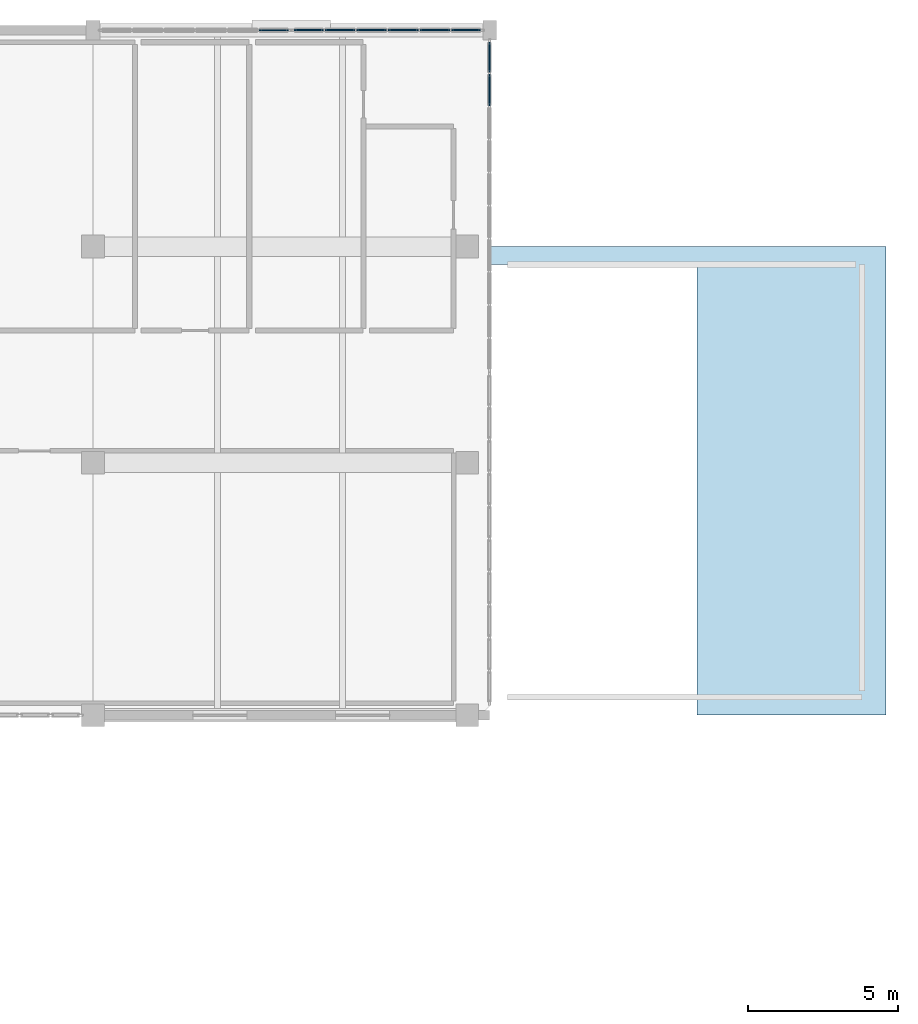
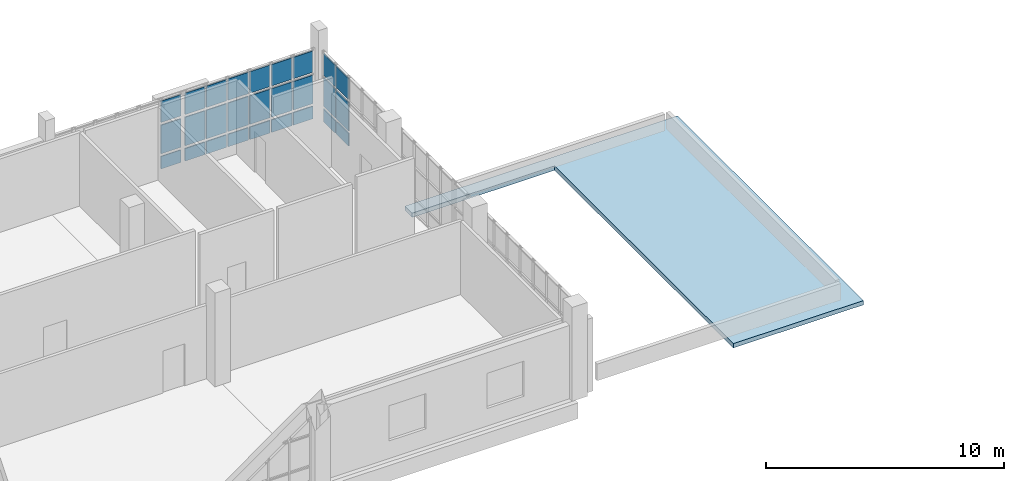
# One storey, part 79 of 106: 27 plates, 1 slab, 3 elements without a shape of their own.
"""IFC4 building model written with IfcOpenShell, lengths in metres."""

from ifc_helpers import new_model, si_unit, direction, frame, origin, origin_2d, place, context, subcontext, project, spatial, polyline, rectangle, outline, extrude, material, layer, layer_set, type_object, element, aggregate, save


model = new_model("IFC4")

# Units and contexts
model_context = context("Model", 3, precision=1e-05, world=origin(), true_north=direction((0.0, 1.0)))
body_context = subcontext(model_context, "Body", "Model", "MODEL_VIEW")
ifc_project = project(units=[si_unit("LENGTHUNIT", "METRE"), si_unit("AREAUNIT", "SQUARE_METRE"), si_unit("VOLUMEUNIT", "CUBIC_METRE"), si_unit("PLANEANGLEUNIT", "RADIAN"), si_unit("MASSUNIT", "GRAM", prefix="KILO")], contexts=[model_context])

# Site, building, storey
site_placement = place(None, origin())
site = spatial("IfcSite", under=ifc_project, at=site_placement, CompositionType="ELEMENT")
building_placement = place(site_placement, origin())
building = spatial("IfcBuilding", under=site, at=building_placement, Name="Kisaragi Civic Commons", CompositionType="ELEMENT")
storey_placement = place(building_placement, frame((0.0, 0.0, 4.800048828125)))
storey = spatial("IfcBuildingStorey", under=building, at=storey_placement, Name="L01", CompositionType="ELEMENT", Elevation=4.800048828125)

# Curtain wall, plates
ifc_material_1 = material(Name="Thermally broken anodized aluminium and low-E double glazing", Category="aluminium")
ifc_layer_1 = layer(ifc_material_1, 0.179931640625, Name="Thermally broken anodized aluminium and low-E double glazing", Category="aluminium")
ifc_layer_set_1 = layer_set([ifc_layer_1], Name="Thermally broken anodized aluminium and low-E double glazing")
curtain_wall_type = type_object("IfcCurtainWallType", Name="CW-01", PredefinedType="NOTDEFINED", material=ifc_layer_set_1)
curtain_wall_1_placement = place(storey_placement, origin())
curtain_wall_1 = element("IfcCurtainWall", 1, at=curtain_wall_1_placement, inside=storey, type_object=curtain_wall_type, Name="L01 curtain wall CW-01 CW-V4-L01-069", PredefinedType="NOTDEFINED")
ifc_layer_2 = layer(ifc_material_1, 0.0458984375, Name="Thermally broken anodized aluminium and low-E double glazing", Category="aluminium")
ifc_layer_set_2 = layer_set([ifc_layer_2], Name="Thermally broken anodized aluminium and low-E double glazing")
plate_type_1 = type_object("IfcPlateType", Name="CWP-13", PredefinedType="CURTAIN_PANEL", material=ifc_layer_set_2)
plate_1_placement = place(storey_placement, frame((152.4169921875, 118.800048828125, 0.14013671875), z_axis=(0.0, 0.0, 1.0), x_axis=(1.0, 0.0, 0.0)))
plate_1 = element("IfcPlate", 2, at=plate_1_placement, type_object=plate_type_1, Name="CW-01 panel 6.1", PredefinedType="CURTAIN_PANEL", context=body_context, shape_type="SweptSolid", body=[
    extrude(rectangle(XDim=0.955810546875, YDim=0.0458984375, at=origin_2d()), origin(), (0.0, 0.0, 1.0), 0.639892578125),
])
plate_2_placement = place(storey_placement, frame((152.4169921875, 118.800048828125, 0.919921875), z_axis=(0.0, 0.0, 1.0), x_axis=(1.0, 0.0, 0.0)))
plate_2 = element("IfcPlate", 3, at=plate_2_placement, type_object=plate_type_1, Name="CW-01 panel 6.2", PredefinedType="CURTAIN_PANEL", context=body_context, shape_type="SweptSolid", body=[
    extrude(rectangle(XDim=0.955810546875, YDim=0.0458984375, at=origin_2d()), origin(), (0.0, 0.0, 1.0), 1.4599609375),
])
plate_3_placement = place(storey_placement, frame((152.4169921875, 118.800048828125, 2.52001953125), z_axis=(0.0, 0.0, 1.0), x_axis=(1.0, 0.0, 0.0)))
plate_3 = element("IfcPlate", 4, at=plate_3_placement, type_object=plate_type_1, Name="CW-01 panel 6.3", PredefinedType="CURTAIN_PANEL", context=body_context, shape_type="SweptSolid", body=[
    extrude(rectangle(XDim=0.955810546875, YDim=0.0458984375, at=origin_2d()), origin(), (0.0, 0.0, 1.0), 1.094970703125),
])
aggregate(curtain_wall_1, [plate_1, plate_2, plate_3])

curtain_wall_2_placement = place(storey_placement, origin())
curtain_wall_2 = element("IfcCurtainWall", 5, at=curtain_wall_2_placement, inside=storey, type_object=curtain_wall_type, Name="L01 curtain wall CW-01 CW-V4-L01-070", PredefinedType="NOTDEFINED")
ifc_layer_3 = layer(ifc_material_1, 0.050048828125, Name="Thermally broken anodized aluminium and low-E double glazing", Category="aluminium")
ifc_layer_set_3 = layer_set([ifc_layer_3], Name="Thermally broken anodized aluminium and low-E double glazing")
plate_type_2 = type_object("IfcPlateType", Name="CWP-14", PredefinedType="CURTAIN_PANEL", material=ifc_layer_set_3)
plate_4_placement = place(storey_placement, frame((153.5830078125, 118.800048828125, 0.14013671875), z_axis=(0.0, 0.0, 1.0), x_axis=(1.0, 0.0, 0.0)))
plate_4 = element("IfcPlate", 6, at=plate_4_placement, type_object=plate_type_2, Name="CW-01 panel 1.1", PredefinedType="CURTAIN_PANEL", context=body_context, shape_type="SweptSolid", body=[
    extrude(rectangle(XDim=0.955810546875, YDim=0.050048828125, at=origin_2d()), origin(), (0.0, 0.0, 1.0), 0.639892578125),
])
plate_5_placement = place(storey_placement, frame((153.5830078125, 118.800048828125, 0.919921875), z_axis=(0.0, 0.0, 1.0), x_axis=(1.0, 0.0, 0.0)))
plate_5 = element("IfcPlate", 7, at=plate_5_placement, type_object=plate_type_2, Name="CW-01 panel 1.2", PredefinedType="CURTAIN_PANEL", context=body_context, shape_type="SweptSolid", body=[
    extrude(rectangle(XDim=0.955810546875, YDim=0.050048828125, at=origin_2d()), origin(), (0.0, 0.0, 1.0), 1.4599609375),
])
plate_6_placement = place(storey_placement, frame((153.5830078125, 118.800048828125, 2.52001953125), z_axis=(0.0, 0.0, 1.0), x_axis=(1.0, 0.0, 0.0)))
plate_6 = element("IfcPlate", 8, at=plate_6_placement, type_object=plate_type_2, Name="CW-01 panel 1.3", PredefinedType="CURTAIN_PANEL", context=body_context, shape_type="SweptSolid", body=[
    extrude(rectangle(XDim=0.955810546875, YDim=0.050048828125, at=origin_2d()), origin(), (0.0, 0.0, 1.0), 1.094970703125),
])
plate_7_placement = place(storey_placement, frame((154.6201171875, 118.800048828125, 0.14013671875), z_axis=(0.0, 0.0, 1.0), x_axis=(1.0, 0.0, 0.0)))
plate_7 = element("IfcPlate", 9, at=plate_7_placement, type_object=plate_type_2, Name="CW-01 panel 2.1", PredefinedType="CURTAIN_PANEL", context=body_context, shape_type="SweptSolid", body=[
    extrude(rectangle(XDim=0.98828125, YDim=0.050048828125, at=origin_2d()), origin(), (0.0, 0.0, 1.0), 0.639892578125),
])
plate_8_placement = place(storey_placement, frame((154.6201171875, 118.800048828125, 0.919921875), z_axis=(0.0, 0.0, 1.0), x_axis=(1.0, 0.0, 0.0)))
plate_8 = element("IfcPlate", 10, at=plate_8_placement, type_object=plate_type_2, Name="CW-01 panel 2.2", PredefinedType="CURTAIN_PANEL", context=body_context, shape_type="SweptSolid", body=[
    extrude(rectangle(XDim=0.98828125, YDim=0.050048828125, at=origin_2d()), origin(), (0.0, 0.0, 1.0), 1.4599609375),
])
plate_9_placement = place(storey_placement, frame((154.6201171875, 118.800048828125, 2.52001953125), z_axis=(0.0, 0.0, 1.0), x_axis=(1.0, 0.0, 0.0)))
plate_9 = element("IfcPlate", 11, at=plate_9_placement, type_object=plate_type_2, Name="CW-01 panel 2.3", PredefinedType="CURTAIN_PANEL", context=body_context, shape_type="SweptSolid", body=[
    extrude(rectangle(XDim=0.98828125, YDim=0.050048828125, at=origin_2d()), origin(), (0.0, 0.0, 1.0), 1.094970703125),
])
plate_10_placement = place(storey_placement, frame((155.67333984375, 118.800048828125, 0.14013671875), z_axis=(0.0, 0.0, 1.0), x_axis=(1.0, 0.0, 0.0)))
plate_10 = element("IfcPlate", 12, at=plate_10_placement, type_object=plate_type_2, Name="CW-01 panel 3.1", PredefinedType="CURTAIN_PANEL", context=body_context, shape_type="SweptSolid", body=[
    extrude(rectangle(XDim=0.98828125, YDim=0.050048828125, at=origin_2d()), origin(), (0.0, 0.0, 1.0), 0.639892578125),
])
plate_11_placement = place(storey_placement, frame((155.67333984375, 118.800048828125, 0.919921875), z_axis=(0.0, 0.0, 1.0), x_axis=(1.0, 0.0, 0.0)))
plate_11 = element("IfcPlate", 13, at=plate_11_placement, type_object=plate_type_2, Name="CW-01 panel 3.2", PredefinedType="CURTAIN_PANEL", context=body_context, shape_type="SweptSolid", body=[
    extrude(rectangle(XDim=0.98828125, YDim=0.050048828125, at=origin_2d()), origin(), (0.0, 0.0, 1.0), 1.4599609375),
])
plate_12_placement = place(storey_placement, frame((155.67333984375, 118.800048828125, 2.52001953125), z_axis=(0.0, 0.0, 1.0), x_axis=(1.0, 0.0, 0.0)))
plate_12 = element("IfcPlate", 14, at=plate_12_placement, type_object=plate_type_2, Name="CW-01 panel 3.3", PredefinedType="CURTAIN_PANEL", context=body_context, shape_type="SweptSolid", body=[
    extrude(rectangle(XDim=0.98828125, YDim=0.050048828125, at=origin_2d()), origin(), (0.0, 0.0, 1.0), 1.094970703125),
])
plate_13_placement = place(storey_placement, frame((156.7265625, 118.800048828125, 0.14013671875), z_axis=(0.0, 0.0, 1.0), x_axis=(1.0, 0.0, 0.0)))
plate_13 = element("IfcPlate", 15, at=plate_13_placement, type_object=plate_type_2, Name="CW-01 panel 4.1", PredefinedType="CURTAIN_PANEL", context=body_context, shape_type="SweptSolid", body=[
    extrude(rectangle(XDim=0.98828125, YDim=0.050048828125, at=origin_2d()), origin(), (0.0, 0.0, 1.0), 0.639892578125),
])
plate_14_placement = place(storey_placement, frame((156.7265625, 118.800048828125, 0.919921875), z_axis=(0.0, 0.0, 1.0), x_axis=(1.0, 0.0, 0.0)))
plate_14 = element("IfcPlate", 16, at=plate_14_placement, type_object=plate_type_2, Name="CW-01 panel 4.2", PredefinedType="CURTAIN_PANEL", context=body_context, shape_type="SweptSolid", body=[
    extrude(rectangle(XDim=0.98828125, YDim=0.050048828125, at=origin_2d()), origin(), (0.0, 0.0, 1.0), 1.4599609375),
])
plate_15_placement = place(storey_placement, frame((156.7265625, 118.800048828125, 2.52001953125), z_axis=(0.0, 0.0, 1.0), x_axis=(1.0, 0.0, 0.0)))
plate_15 = element("IfcPlate", 17, at=plate_15_placement, type_object=plate_type_2, Name="CW-01 panel 4.3", PredefinedType="CURTAIN_PANEL", context=body_context, shape_type="SweptSolid", body=[
    extrude(rectangle(XDim=0.98828125, YDim=0.050048828125, at=origin_2d()), origin(), (0.0, 0.0, 1.0), 1.094970703125),
])
plate_16_placement = place(storey_placement, frame((157.780029296875, 118.800048828125, 0.14013671875), z_axis=(0.0, 0.0, 1.0), x_axis=(1.0, 0.0, 0.0)))
plate_16 = element("IfcPlate", 18, at=plate_16_placement, type_object=plate_type_2, Name="CW-01 panel 5.1", PredefinedType="CURTAIN_PANEL", context=body_context, shape_type="SweptSolid", body=[
    extrude(rectangle(XDim=0.98828125, YDim=0.050048828125, at=origin_2d()), origin(), (0.0, 0.0, 1.0), 0.639892578125),
])
plate_17_placement = place(storey_placement, frame((157.780029296875, 118.800048828125, 0.919921875), z_axis=(0.0, 0.0, 1.0), x_axis=(1.0, 0.0, 0.0)))
plate_17 = element("IfcPlate", 19, at=plate_17_placement, type_object=plate_type_2, Name="CW-01 panel 5.2", PredefinedType="CURTAIN_PANEL", context=body_context, shape_type="SweptSolid", body=[
    extrude(rectangle(XDim=0.98828125, YDim=0.050048828125, at=origin_2d()), origin(), (0.0, 0.0, 1.0), 1.4599609375),
])
plate_18_placement = place(storey_placement, frame((157.780029296875, 118.800048828125, 2.52001953125), z_axis=(0.0, 0.0, 1.0), x_axis=(1.0, 0.0, 0.0)))
plate_18 = element("IfcPlate", 20, at=plate_18_placement, type_object=plate_type_2, Name="CW-01 panel 5.3", PredefinedType="CURTAIN_PANEL", context=body_context, shape_type="SweptSolid", body=[
    extrude(rectangle(XDim=0.98828125, YDim=0.050048828125, at=origin_2d()), origin(), (0.0, 0.0, 1.0), 1.094970703125),
])
plate_19_placement = place(storey_placement, frame((158.817138671875, 118.800048828125, 0.14013671875), z_axis=(0.0, 0.0, 1.0), x_axis=(1.0, 0.0, 0.0)))
plate_19 = element("IfcPlate", 21, at=plate_19_placement, type_object=plate_type_2, Name="CW-01 panel 6.1", PredefinedType="CURTAIN_PANEL", context=body_context, shape_type="SweptSolid", body=[
    extrude(rectangle(XDim=0.955810546875, YDim=0.050048828125, at=origin_2d()), origin(), (0.0, 0.0, 1.0), 0.639892578125),
])
plate_20_placement = place(storey_placement, frame((158.817138671875, 118.800048828125, 0.919921875), z_axis=(0.0, 0.0, 1.0), x_axis=(1.0, 0.0, 0.0)))
plate_20 = element("IfcPlate", 22, at=plate_20_placement, type_object=plate_type_2, Name="CW-01 panel 6.2", PredefinedType="CURTAIN_PANEL", context=body_context, shape_type="SweptSolid", body=[
    extrude(rectangle(XDim=0.955810546875, YDim=0.050048828125, at=origin_2d()), origin(), (0.0, 0.0, 1.0), 1.4599609375),
])
plate_21_placement = place(storey_placement, frame((158.817138671875, 118.800048828125, 2.52001953125), z_axis=(0.0, 0.0, 1.0), x_axis=(1.0, 0.0, 0.0)))
plate_21 = element("IfcPlate", 23, at=plate_21_placement, type_object=plate_type_2, Name="CW-01 panel 6.3", PredefinedType="CURTAIN_PANEL", context=body_context, shape_type="SweptSolid", body=[
    extrude(rectangle(XDim=0.955810546875, YDim=0.050048828125, at=origin_2d()), origin(), (0.0, 0.0, 1.0), 1.094970703125),
])
aggregate(curtain_wall_2, [plate_4, plate_5, plate_6, plate_7, plate_8, plate_9, plate_10, plate_11, plate_12, plate_13, plate_14, plate_15, plate_16, plate_17, plate_18, plate_19, plate_20, plate_21])

curtain_wall_3_placement = place(storey_placement, origin())
curtain_wall_3 = element("IfcCurtainWall", 24, at=curtain_wall_3_placement, inside=storey, type_object=curtain_wall_type, Name="L01 curtain wall CW-01 CW-V4-L01-071", PredefinedType="NOTDEFINED")
ifc_layer_4 = layer(ifc_material_1, 0.053955078125, Name="Thermally broken anodized aluminium and low-E double glazing", Category="aluminium")
ifc_layer_set_4 = layer_set([ifc_layer_4], Name="Thermally broken anodized aluminium and low-E double glazing")
plate_type_3 = type_object("IfcPlateType", Name="CWP-15", PredefinedType="CURTAIN_PANEL", material=ifc_layer_set_4)
plate_22_placement = place(storey_placement, frame((159.60009765625, 117.893798828125, 0.14013671875), z_axis=(0.0, 0.0, 1.0), x_axis=(0.0, -1.0, 0.0)))
plate_22 = element("IfcPlate", 25, at=plate_22_placement, type_object=plate_type_3, Name="CW-01 panel 1.1", PredefinedType="CURTAIN_PANEL", context=body_context, shape_type="SweptSolid", body=[
    extrude(rectangle(XDim=1.00244140625, YDim=0.053955078125, at=origin_2d()), origin(), (0.0, 0.0, 1.0), 0.639892578125),
])
plate_23_placement = place(storey_placement, frame((159.60009765625, 117.893798828125, 0.919921875), z_axis=(0.0, 0.0, 1.0), x_axis=(0.0, -1.0, 0.0)))
plate_23 = element("IfcPlate", 26, at=plate_23_placement, type_object=plate_type_3, Name="CW-01 panel 1.2", PredefinedType="CURTAIN_PANEL", context=body_context, shape_type="SweptSolid", body=[
    extrude(rectangle(XDim=1.00244140625, YDim=0.053955078125, at=origin_2d()), origin(), (0.0, 0.0, 1.0), 1.4599609375),
])
plate_24_placement = place(storey_placement, frame((159.60009765625, 117.893798828125, 2.52001953125), z_axis=(0.0, 0.0, 1.0), x_axis=(0.0, -1.0, 0.0)))
plate_24 = element("IfcPlate", 27, at=plate_24_placement, type_object=plate_type_3, Name="CW-01 panel 1.3", PredefinedType="CURTAIN_PANEL", context=body_context, shape_type="SweptSolid", body=[
    extrude(rectangle(XDim=1.00244140625, YDim=0.053955078125, at=origin_2d()), origin(), (0.0, 0.0, 1.0), 1.094970703125),
])
plate_25_placement = place(storey_placement, frame((159.60009765625, 116.81005859375, 0.14013671875), z_axis=(0.0, 0.0, 1.0), x_axis=(0.0, -1.0, 0.0)))
plate_25 = element("IfcPlate", 28, at=plate_25_placement, type_object=plate_type_3, Name="CW-01 panel 2.1", PredefinedType="CURTAIN_PANEL", context=body_context, shape_type="SweptSolid", body=[
    extrude(rectangle(XDim=1.034912109375, YDim=0.053955078125, at=origin_2d()), origin(), (0.0, 0.0, 1.0), 0.639892578125),
])
plate_26_placement = place(storey_placement, frame((159.60009765625, 116.81005859375, 0.919921875), z_axis=(0.0, 0.0, 1.0), x_axis=(0.0, -1.0, 0.0)))
plate_26 = element("IfcPlate", 29, at=plate_26_placement, type_object=plate_type_3, Name="CW-01 panel 2.2", PredefinedType="CURTAIN_PANEL", context=body_context, shape_type="SweptSolid", body=[
    extrude(rectangle(XDim=1.034912109375, YDim=0.053955078125, at=origin_2d()), origin(), (0.0, 0.0, 1.0), 1.4599609375),
])
plate_27_placement = place(storey_placement, frame((159.60009765625, 116.81005859375, 2.52001953125), z_axis=(0.0, 0.0, 1.0), x_axis=(0.0, -1.0, 0.0)))
plate_27 = element("IfcPlate", 30, at=plate_27_placement, type_object=plate_type_3, Name="CW-01 panel 2.3", PredefinedType="CURTAIN_PANEL", context=body_context, shape_type="SweptSolid", body=[
    extrude(rectangle(XDim=1.034912109375, YDim=0.053955078125, at=origin_2d()), origin(), (0.0, 0.0, 1.0), 1.094970703125),
])
aggregate(curtain_wall_3, [plate_22, plate_23, plate_24, plate_25, plate_26, plate_27])

# Slab
ifc_material_2 = material(Name="Concrete Fc30", Category="concrete")
ifc_layer_5 = layer(ifc_material_2, 0.219970703125, Name="Concrete Fc30", Category="concrete")
ifc_layer_set_5 = layer_set([ifc_layer_5], Name="Concrete Fc30")
slab_type = type_object("IfcSlabType", Name="SL-RF1", PredefinedType="ROOF", material=ifc_layer_set_5)
slab_placement = place(storey_placement, frame((0.0, 0.0, -0.304931640625)))
element("IfcSlab", 31, at=slab_placement, inside=storey, type_object=slab_type, Name="Learning Wing L01 setback roof slab 1", PredefinedType="ROOF", context=body_context, shape_type="SweptSolid", body=[
    extrude(outline(polyline([(172.800048828125, 111.60009765625), (159.60009765625, 111.60009765625), (159.60009765625, 111.0), (166.5, 111.0), (166.5, 96.0), (172.800048828125, 96.0), (172.800048828125, 111.60009765625)])), origin(), (0.0, 0.0, 1.0), 0.219970703125),
])

save(model, "model.ifc")
